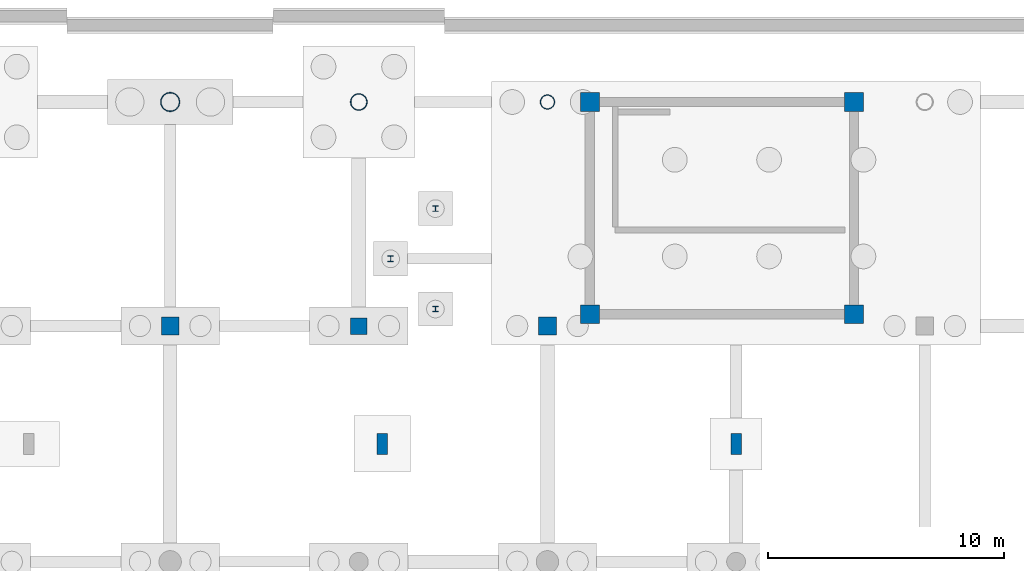
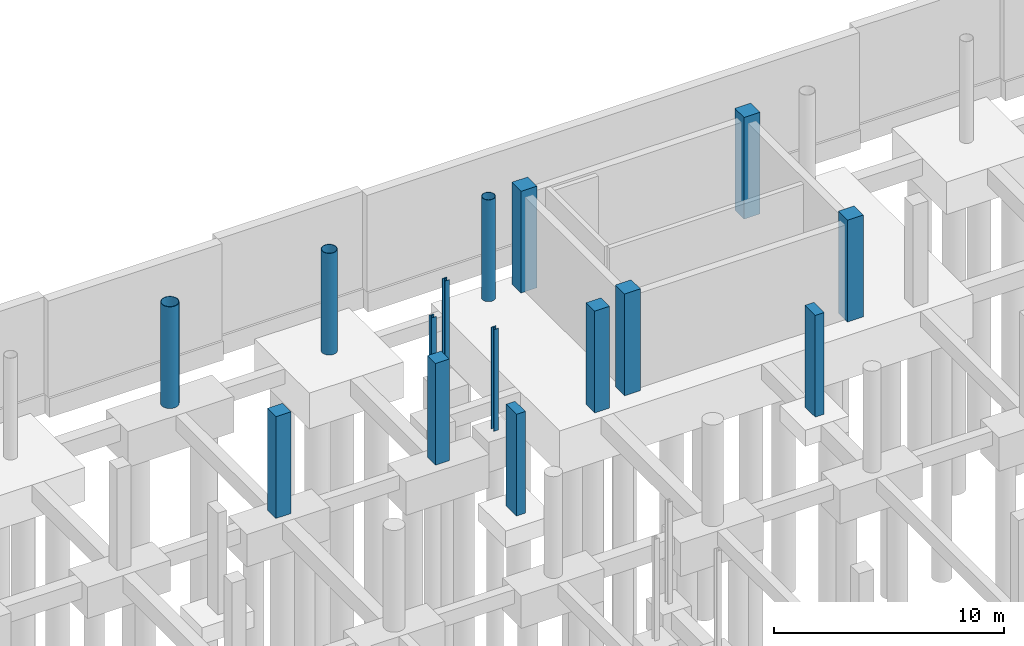
# One storey, part 44 of 65: 15 columns.
"""IFC4 building model written with IfcOpenShell, lengths in metres."""

from ifc_helpers import new_model, si_unit, direction, frame, origin, origin_2d, place, context, subcontext, project, spatial, rectangle, hollow_circle, i_section, extrude, material, material_profile, profile_set, type_object, element, save


model = new_model("IFC4")

# Units and contexts
model_context = context("Model", 3, precision=1e-05, world=origin(), true_north=direction((0.0, 1.0)))
body_context = subcontext(model_context, "Body", "Model", "MODEL_VIEW")
ifc_project = project(units=[si_unit("LENGTHUNIT", "METRE"), si_unit("AREAUNIT", "SQUARE_METRE"), si_unit("VOLUMEUNIT", "CUBIC_METRE"), si_unit("PLANEANGLEUNIT", "RADIAN"), si_unit("MASSUNIT", "GRAM", prefix="KILO")], contexts=[model_context])

# Site, building, storey
site_placement = place(None, origin())
site = spatial("IfcSite", under=ifc_project, at=site_placement, CompositionType="ELEMENT")
building_placement = place(site_placement, origin())
building = spatial("IfcBuilding", under=site, at=building_placement, Name="Khorjan Park Terminus", CompositionType="ELEMENT")
storey_placement = place(building_placement, frame((0.0, 0.0, -5.4)))
storey = spatial("IfcBuildingStorey", under=building, at=storey_placement, Name="B1", CompositionType="ELEMENT", Elevation=-5.4)

# Columns
ifc_material_1 = material(Name="Steel S355", Category="steel")
ifc_material_profile_1 = material_profile(ifc_material_1, i_section(OverallWidth=0.24, OverallDepth=0.24, WebThickness=0.01, FlangeThickness=0.017, FilletRadius=0.021, at=origin_2d()), Name="HEB 240")
ifc_profile_set_1 = profile_set([ifc_material_profile_1], Name="Steel S355")
column_type_1 = type_object("IfcColumnType", Name="COL-HB240", PredefinedType="COLUMN", material=ifc_profile_set_1)
for number, where, z_axis, x_axis, name in (
    (1, (67.25, 145.22, 0.0), (0.0, 0.0, 1.0), (1.0, 0.0, 0.0), "Structural column SC-H24 (B1 #1014)"),
    (2, (67.25, 149.48, 0.0), (0.0, 0.0, 1.0), (1.0, 0.0, 0.0), "Structural column SC-H24 (B1 #1016)"),
    (3, (65.35, 147.35, 0.0), (0.0, 0.0, 1.0), (1.0, 0.0, 0.0), "Structural column SC-H24 (B1 #1018)"),
):
    element("IfcColumn", number, at=place(storey_placement, frame(where, z_axis=z_axis, x_axis=x_axis)), inside=storey, type_object=column_type_1, Name=name, PredefinedType="COLUMN", context=body_context, shape_type="SweptSolid", body=[
        extrude(i_section(OverallWidth=0.24, OverallDepth=0.24, WebThickness=0.01, FlangeThickness=0.017, FilletRadius=0.021, at=origin_2d()), origin(), (0.0, 0.0, 1.0), 5.4),
    ])
ifc_material_2 = material(Name="Concrete C40/50", Category="concrete")
ifc_material_profile_2 = material_profile(ifc_material_2, rectangle(XDim=0.45, YDim=0.9, at=origin_2d()), Name="RC 450x900")
ifc_profile_set_2 = profile_set([ifc_material_profile_2], Name="Concrete C40/50")
column_type_2 = type_object("IfcColumnType", Name="COL-PIL900", PredefinedType="PILASTER", material=ifc_profile_set_2)
for number, where, z_axis, x_axis, name in (
    (4, (65.0, 139.5, 0.0), (0.0, 0.0, 1.0), (1.0, 0.0, 0.0), "Substructure track-bed pilaster CP-09 (15 B1)"),
    (5, (80.0, 139.5, 0.0), (0.0, 0.0, 1.0), (1.0, 0.0, 0.0), "Substructure track-bed pilaster CP-09 (16 B1)"),
):
    element("IfcColumn", number, at=place(storey_placement, frame(where, z_axis=z_axis, x_axis=x_axis)), inside=storey, type_object=column_type_2, Name=name, PredefinedType="PILASTER", context=body_context, shape_type="SweptSolid", body=[
        extrude(rectangle(XDim=0.45, YDim=0.9, at=origin_2d()), origin(), (0.0, 0.0, 1.0), 5.4),
    ])
ifc_material_profile_3 = material_profile(ifc_material_2, rectangle(XDim=0.7, YDim=0.7, at=origin_2d()), Name="RC 700x700")
ifc_profile_set_3 = profile_set([ifc_material_profile_3], Name="Concrete C40/50")
column_type_3 = type_object("IfcColumnType", Name="COL-RC700", PredefinedType="COLUMN", material=ifc_profile_set_3)
column_1_placement = place(storey_placement, frame((64.0, 144.5, 0.0), z_axis=(0.0, 0.0, 1.0), x_axis=(1.0, 0.0, 0.0)))
element("IfcColumn", 6, at=column_1_placement, inside=storey, type_object=column_type_3, Name="Structural column C-RC07 (B1 #100)", PredefinedType="COLUMN", context=body_context, shape_type="SweptSolid", body=[
    extrude(rectangle(XDim=0.7, YDim=0.7, at=origin_2d()), origin(), (0.0, 0.0, 1.0), 5.4),
])
ifc_material_profile_4 = material_profile(ifc_material_2, rectangle(XDim=0.75, YDim=0.75, at=origin_2d()), Name="RC 750x750")
ifc_profile_set_4 = profile_set([ifc_material_profile_4], Name="Concrete C40/50")
column_type_4 = type_object("IfcColumnType", Name="COL-RC750", PredefinedType="COLUMN", material=ifc_profile_set_4)
for number, where, z_axis, x_axis, name in (
    (7, (56.0, 144.5, 0.0), (0.0, 0.0, 1.0), (1.0, 0.0, 0.0), "Structural column C-RC75 (B1 #86)"),
    (8, (72.0, 144.5, 0.0), (0.0, 0.0, 1.0), (1.0, 0.0, 0.0), "Structural column C-RC75 (B1 #114)"),
):
    element("IfcColumn", number, at=place(storey_placement, frame(where, z_axis=z_axis, x_axis=x_axis)), inside=storey, type_object=column_type_4, Name=name, PredefinedType="COLUMN", context=body_context, shape_type="SweptSolid", body=[
        extrude(rectangle(XDim=0.75, YDim=0.75, at=origin_2d()), origin(), (0.0, 0.0, 1.0), 5.4),
    ])
ifc_material_profile_5 = material_profile(ifc_material_2, rectangle(XDim=0.8, YDim=0.8, at=origin_2d()), Name="RC 800x800")
ifc_profile_set_5 = profile_set([ifc_material_profile_5], Name="Concrete C40/50")
column_type_5 = type_object("IfcColumnType", Name="COL-RC800", PredefinedType="COLUMN", material=ifc_profile_set_5)
for number, where, z_axis, x_axis, name in (
    (9, (85.0, 154.0, 0.0), (0.0, 0.0, 1.0), (-1.0, 0.0, 0.0), "Structural column C-RC08 (B1 #1053)"),
    (10, (73.8, 154.0, 0.0), (0.0, 0.0, 1.0), (-1.0, 0.0, 0.0), "Structural column C-RC08 (B1 #1054)"),
    (11, (73.8, 145.0, 0.0), (0.0, 0.0, 1.0), (-1.0, 0.0, 0.0), "Structural column C-RC08 (B1 #1055)"),
    (12, (85.0, 145.0, 0.0), (0.0, 0.0, 1.0), (-1.0, 0.0, 0.0), "Structural column C-RC08 (B1 #1056)"),
):
    element("IfcColumn", number, at=place(storey_placement, frame(where, z_axis=z_axis, x_axis=x_axis)), inside=storey, type_object=column_type_5, Name=name, PredefinedType="COLUMN", context=body_context, shape_type="SweptSolid", body=[
        extrude(rectangle(XDim=0.8, YDim=0.8, at=origin_2d()), origin(), (0.0, 0.0, 1.0), 5.4),
    ])
ifc_material_profile_6 = material_profile(ifc_material_1, hollow_circle(Radius=0.305, WallThickness=0.02, at=origin_2d()), Name="CHS 610x20")
ifc_profile_set_6 = profile_set([ifc_material_profile_6], Name="Steel S355")
column_type_6 = type_object("IfcColumnType", Name="COL-SH610E", PredefinedType="COLUMN", material=ifc_profile_set_6)
column_2_placement = place(storey_placement, frame((72.0, 154.0, 0.0), z_axis=(0.0, 0.0, 1.0), x_axis=(1.0, 0.0, 0.0)))
element("IfcColumn", 13, at=column_2_placement, inside=storey, type_object=column_type_6, Name="Structural column SC-61 (B1 #105)", PredefinedType="COLUMN", context=body_context, shape_type="SweptSolid", body=[
    extrude(hollow_circle(Radius=0.305, WallThickness=0.02, at=origin_2d()), origin(), (0.0, 0.0, 1.0), 5.4),
])
ifc_material_profile_7 = material_profile(ifc_material_1, hollow_circle(Radius=0.3555, WallThickness=0.025, at=origin_2d()), Name="CHS 711x25")
ifc_profile_set_7 = profile_set([ifc_material_profile_7], Name="Steel S355")
column_type_7 = type_object("IfcColumnType", Name="COL-SH711E", PredefinedType="COLUMN", material=ifc_profile_set_7)
column_3_placement = place(storey_placement, frame((64.0, 154.0, 0.0), z_axis=(0.0, 0.0, 1.0), x_axis=(1.0, 0.0, 0.0)))
element("IfcColumn", 14, at=column_3_placement, inside=storey, type_object=column_type_7, Name="Structural column SC-71 (B1 #91)", PredefinedType="COLUMN", context=body_context, shape_type="SweptSolid", body=[
    extrude(hollow_circle(Radius=0.3555, WallThickness=0.025, at=origin_2d()), origin(), (0.0, 0.0, 1.0), 5.4),
])
ifc_material_profile_8 = material_profile(ifc_material_1, hollow_circle(Radius=0.4065, WallThickness=0.025, at=origin_2d()), Name="CHS 813x25")
ifc_profile_set_8 = profile_set([ifc_material_profile_8], Name="Steel S355")
column_type_8 = type_object("IfcColumnType", Name="COL-SH813E", PredefinedType="COLUMN", material=ifc_profile_set_8)
column_4_placement = place(storey_placement, frame((56.0, 154.0, 0.0), z_axis=(0.0, 0.0, 1.0), x_axis=(1.0, 0.0, 0.0)))
element("IfcColumn", 15, at=column_4_placement, inside=storey, type_object=column_type_8, Name="Structural column SC-81 (B1 #77)", PredefinedType="COLUMN", context=body_context, shape_type="SweptSolid", body=[
    extrude(hollow_circle(Radius=0.4065, WallThickness=0.025, at=origin_2d()), origin(), (0.0, 0.0, 1.0), 5.4),
])

save(model, "model.ifc")
